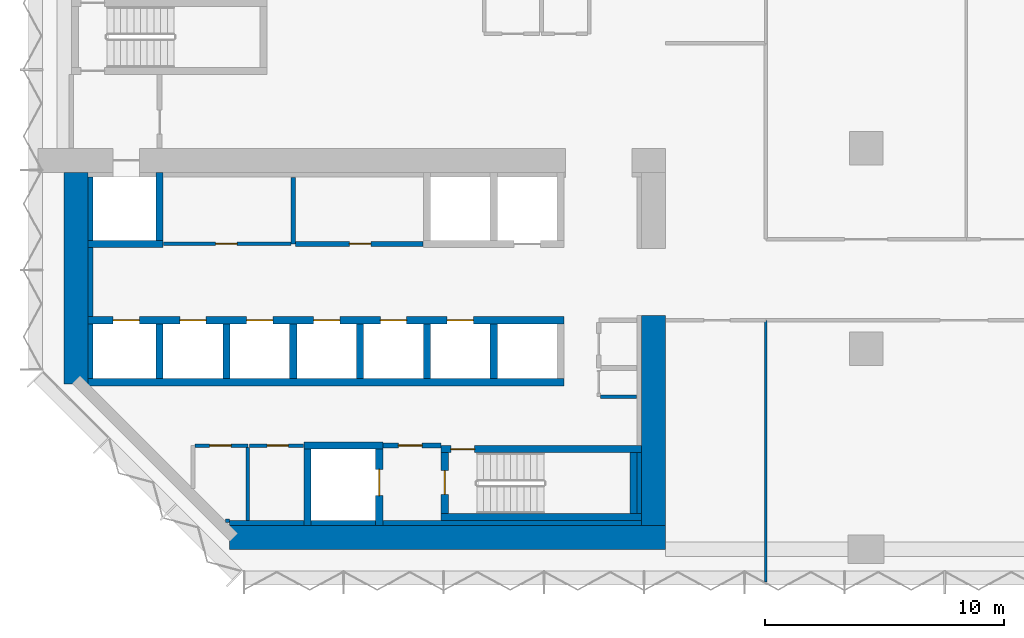
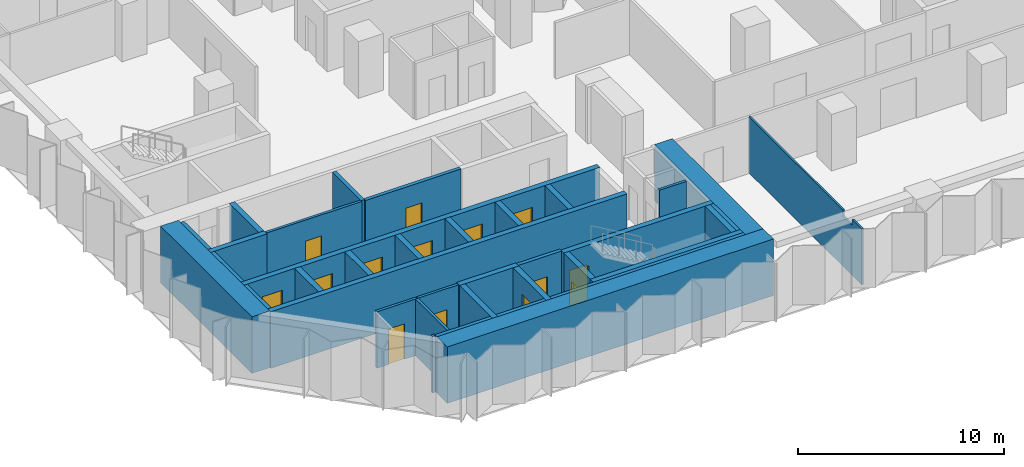
# One storey, part 7 of 15: 37 walls, 14 doors, 14 openings.
"""IFC4 building model written with IfcOpenShell, lengths in metres."""

import ifcopenshell
import ifcopenshell.guid

model = None  # the IFC model being written
_history = None  # IfcOwnerHistory: only IFC2X3 demands one
_inside = {}  # id of a spatial element -> (the spatial element, [elements in it])
_under = {}  # id of a project, library or spatial element -> (it, [spatial elements below it])
_declared = {}  # id of a project -> (the project, [libraries it declares])
_typed = {}  # id of a type object -> (the type object, [elements of that type])
_made_of = {}  # id of a material, layer set ... -> (it, [elements and type objects made of it])


def new_model(schema):
    """Start an empty IFC model of exactly this schema.

    Asked for "IFC4X3", IfcOpenShell would pick the latest addendum, in which some entities
    have other attributes; the version numbers below select the first issue.
    IFC2X3 requires an IfcOwnerHistory on every rooted entity: one is made here for all.
    """
    global model, _history
    if schema == "IFC4X3":
        model = ifcopenshell.file(schema_version=(4, 3, 0, 0))
    else:
        model = ifcopenshell.file(schema=schema)
    _inside.clear()
    _under.clear()
    _declared.clear()
    _typed.clear()
    _made_of.clear()
    _history = None
    if model.schema == "IFC2X3":
        org = make("IfcOrganization", Name="unknown")
        user = make(
            "IfcPersonAndOrganization",
            ThePerson=make("IfcPerson", FamilyName="unknown"),
            TheOrganization=org,
        )
        app = make(
            "IfcApplication",
            ApplicationDeveloper=org,
            Version="unknown",
            ApplicationFullName="unknown",
            ApplicationIdentifier="unknown",
        )
        _history = make(
            "IfcOwnerHistory",
            OwningUser=user,
            OwningApplication=app,
            ChangeAction="ADDED",
            CreationDate=0,
        )
    return model


def make(cls, **values):
    """One entity of the class cls with the attributes given. An attribute that is None is left unset."""
    return model.create_entity(
        cls, **{name: value for name, value in values.items() if value is not None}
    )


def rooted(cls, **values):
    """An entity with a GlobalId (a new one), such as an element, a storey or a relation."""
    return make(cls, GlobalId=ifcopenshell.guid.new(), OwnerHistory=_history, **values)


def si_unit(unit_type, name, prefix=None):
    """IfcSIUnit, for example si_unit("LENGTHUNIT", "METRE", prefix="MILLI")."""
    return make("IfcSIUnit", UnitType=unit_type, Prefix=prefix, Name=name)


def assignment(units):
    """IfcUnitAssignment: the units of a project."""
    return None if units is None else make("IfcUnitAssignment", Units=units)


def point(xyz):
    """IfcCartesianPoint."""
    return None if xyz is None else make("IfcCartesianPoint", Coordinates=xyz)


def direction(xyz):
    """IfcDirection."""
    return None if xyz is None else make("IfcDirection", DirectionRatios=xyz)


def frame(location, z_axis=None, x_axis=None):
    """IfcAxis2Placement3D, a coordinate frame: its origin and axes. An axis left out is left unset."""
    return make(
        "IfcAxis2Placement3D",
        Location=point(location),
        Axis=direction(z_axis),
        RefDirection=direction(x_axis),
    )


def frame_2d(location, x_axis=None):
    """IfcAxis2Placement2D, a coordinate frame in the plane: its origin and x axis."""
    return make(
        "IfcAxis2Placement2D", Location=point(location), RefDirection=direction(x_axis)
    )


def origin():
    """The frame at (0, 0, 0) with its axes left unset."""
    return frame((0.0, 0.0, 0.0))


def place(relative_to, where):
    """IfcLocalPlacement: puts the frame where relative to a parent placement (None: the world)."""
    return make(
        "IfcLocalPlacement", PlacementRelTo=relative_to, RelativePlacement=where
    )


def context(
    kind, dimensions, precision=None, world=None, true_north=None, identifier=None
):
    """IfcGeometricRepresentationContext, for example the 3D "Model" context."""
    return make(
        "IfcGeometricRepresentationContext",
        ContextIdentifier=identifier,
        ContextType=kind,
        CoordinateSpaceDimension=dimensions,
        Precision=precision,
        WorldCoordinateSystem=world,
        TrueNorth=true_north,
    )


def subcontext(parent, identifier, kind, view, scale=None):
    """IfcGeometricRepresentationSubContext, for example "Body" below "Model"."""
    return make(
        "IfcGeometricRepresentationSubContext",
        ContextIdentifier=identifier,
        ContextType=kind,
        ParentContext=parent,
        TargetScale=scale,
        TargetView=view,
    )


def project(units=None, contexts=None):
    """IfcProject with its units and contexts."""
    return rooted(
        "IfcProject",
        Name="project",
        RepresentationContexts=contexts,
        UnitsInContext=assignment(units),
    )


def spatial(cls, under=None, at=None, **own):
    """A site, building, storey or space (cls), placed at a placement, below another one or the project."""
    s = rooted(cls, ObjectPlacement=at, **own)
    if under is not None:
        _under.setdefault(under.id(), (under, []))[1].append(s)
    return s


def polyline(points):
    """IfcPolyline through the points."""
    return make("IfcPolyline", Points=[point(p) for p in points])


def profile(cls, at=None, kind="AREA", **sizes):
    """A parametric profile (cls). Its sizes go by their IFC names, for example OverallWidth=200.0."""
    return make(cls, ProfileType=kind, Position=at, **sizes)


def rectangle(**sizes):
    """IfcRectangleProfileDef."""
    return profile("IfcRectangleProfileDef", **sizes)


def outline(outer, holes=None, kind="AREA"):
    """IfcArbitraryClosedProfileDef: a profile drawn as a closed curve; with holes, ...WithVoids."""
    if holes is None:
        return make("IfcArbitraryClosedProfileDef", ProfileType=kind, OuterCurve=outer)
    return make(
        "IfcArbitraryProfileDefWithVoids",
        ProfileType=kind,
        OuterCurve=outer,
        InnerCurves=holes,
    )


def extrude(swept, where, along, depth):
    """IfcExtrudedAreaSolid: the profile swept, set in the frame where, extruded along a direction by depth."""
    return make(
        "IfcExtrudedAreaSolid",
        SweptArea=swept,
        Position=where,
        ExtrudedDirection=direction(along),
        Depth=depth,
    )


def shape(context_of_items, identifier, shape_type, items):
    """IfcShapeRepresentation: the items that make up one representation, for example the "Body"."""
    return make(
        "IfcShapeRepresentation",
        ContextOfItems=context_of_items,
        RepresentationIdentifier=identifier,
        RepresentationType=shape_type,
        Items=items,
    )


def material(Name=None, Category=None):
    """IfcMaterial."""
    return make("IfcMaterial", Name=Name, Category=Category)


def layer(
    of_material, thickness, ventilated=None, Name=None, Category=None, Priority=None
):
    """IfcMaterialLayer: one layer of a wall or slab, of a material (None: an air gap)."""
    return make(
        "IfcMaterialLayer",
        Material=of_material,
        LayerThickness=thickness,
        IsVentilated=ventilated,
        Name=Name,
        Category=Category,
        Priority=Priority,
    )


def layer_set(layers, Name=None):
    """IfcMaterialLayerSet."""
    return make("IfcMaterialLayerSet", MaterialLayers=layers, LayerSetName=Name)


def made_of(thing, what):
    """Note that an element or type object is made of a material, layer set ...; save() writes the relation."""
    if what is not None:
        _made_of.setdefault(what.id(), (what, []))[1].append(thing)
    return thing


def type_object(cls, material=None, **own):
    """A type object (cls), such as IfcWallType, which elements share."""
    return made_of(rooted(cls, **own), material)


def element(
    cls,
    number,
    at=None,
    inside=None,
    cuts=None,
    type_object=None,
    material=None,
    context=None,
    identifier="Body",
    shape_type=None,
    held_by="IfcProductDefinitionShape",
    body=None,
    shapes=None,
    **own,
):
    """One element of the class cls, such as IfcWall. Its Tag is "e" and its number.

    at: its placement. inside: the storey or other place that contains it. cuts: it is an
    opening in that element (IfcRelVoidsElement). A single representation is given by context,
    identifier, shape_type and body (its items); several are given by shapes. held_by: the class
    of the entity that holds the representations. save() writes the other relations.
    """
    e = rooted(cls, Tag="e%d" % number, ObjectPlacement=at, **own)
    if body is not None:
        shapes = [shape(context, identifier, shape_type, body)]
    if shapes is not None:
        e.Representation = make(held_by, Representations=shapes)
    if inside is not None:
        _inside.setdefault(inside.id(), (inside, []))[1].append(e)
    if cuts is not None:
        rooted(
            "IfcRelVoidsElement", RelatingBuildingElement=cuts, RelatedOpeningElement=e
        )
    if type_object is not None:
        _typed.setdefault(type_object.id(), (type_object, []))[1].append(e)
    return made_of(e, material)


def fill(opening, filler):
    """IfcRelFillsElement: the door or window that sits in an opening."""
    return rooted(
        "IfcRelFillsElement",
        RelatingOpeningElement=opening,
        RelatedBuildingElement=filler,
    )


def aggregate(whole, parts):
    """IfcRelAggregates: a whole, such as a stair, and the parts it consists of."""
    return rooted("IfcRelAggregates", RelatingObject=whole, RelatedObjects=parts)


def save(model, path):
    """Write the relations noted so far, then the file.

    IfcRelAggregates (storeys below a building ...), IfcRelContainedInSpatialStructure (elements
    in a storey), IfcRelDefinesByType, IfcRelAssociatesMaterial and IfcRelDeclares: one each for
    every whole, place, type object, material and project.
    """
    for whole, parts in _under.values():
        aggregate(whole, parts)
    for where, things in _inside.values():
        rooted(
            "IfcRelContainedInSpatialStructure",
            RelatedElements=things,
            RelatingStructure=where,
        )
    for kind, things in _typed.values():
        rooted("IfcRelDefinesByType", RelatedObjects=things, RelatingType=kind)
    for what, things in _made_of.values():
        rooted("IfcRelAssociatesMaterial", RelatedObjects=things, RelatingMaterial=what)
    for by, libraries in _declared.values():
        rooted("IfcRelDeclares", RelatingContext=by, RelatedDefinitions=libraries)
    model.write(path)


model = new_model("IFC4")

# Units and contexts
model_context = context("Model", 3, precision=1e-05, world=origin(), true_north=direction((0.0, 1.0)))
body_context = subcontext(model_context, "Body", "Model", "MODEL_VIEW")
ifc_project = project(units=[si_unit("LENGTHUNIT", "METRE"), si_unit("AREAUNIT", "SQUARE_METRE"), si_unit("VOLUMEUNIT", "CUBIC_METRE"), si_unit("PLANEANGLEUNIT", "RADIAN"), si_unit("MASSUNIT", "GRAM", prefix="KILO")], contexts=[model_context])

# Site, building, storey
site_placement = place(None, origin())
site = spatial("IfcSite", under=ifc_project, at=site_placement, CompositionType="ELEMENT")
building_placement = place(site_placement, origin())
building = spatial("IfcBuilding", under=site, at=building_placement, Name="Brevane Broadcast Tower", CompositionType="ELEMENT")
storey_placement = place(building_placement, frame((0.0, 0.0, 79.699951171875)))
storey = spatial("IfcBuildingStorey", under=building, at=storey_placement, Name="L18", CompositionType="ELEMENT", Elevation=79.699951171875)

# Walls
ifc_material_1 = material(Name="Concrete C32/40", Category="concrete")
ifc_layer_1 = layer(ifc_material_1, 0.199951171875)
ifc_layer_set_1 = layer_set([ifc_layer_1], Name="Core chase wall 200 mm")
wall_type_1 = type_object("IfcWallType", Name="Core chase wall 200 mm", PredefinedType="PARTITIONING", material=ifc_layer_set_1)
wall_1_placement = place(storey_placement, frame((1.10009765625, 7.14990234375, 0.0), z_axis=(0.0, 0.0, 1.0), x_axis=(0.0, 1.0, 0.0)))
element("IfcWall", 1, at=wall_1_placement, inside=storey, type_object=wall_type_1, Name="L18 chase wall LW-2-1", PredefinedType="PARTITIONING", context=body_context, shape_type="SweptSolid", body=[
    extrude(rectangle(XDim=2.300048828125, YDim=0.199951171875, at=frame_2d((1.14990234375, 0.0))), origin(), (0.0, 0.0, 1.0), 3.35009765625),
])
wall_2_placement = place(storey_placement, frame((1.10009765625, 9.75, 0.0), z_axis=(0.0, 0.0, 1.0), x_axis=(0.0, 1.0, 0.0)))
element("IfcWall", 2, at=wall_2_placement, inside=storey, type_object=wall_type_1, Name="L18 chase wall LW-2-2-1", PredefinedType="PARTITIONING", context=body_context, shape_type="SweptSolid", body=[
    extrude(rectangle(XDim=2.89990234375, YDim=0.199951171875, at=frame_2d((1.449951171875, 0.0))), origin(), (0.0, 0.0, 1.0), 3.35009765625),
])
wall_3_placement = place(storey_placement, frame((1.10009765625, 12.949951171875, 0.0), z_axis=(0.0, 0.0, 1.0), x_axis=(0.0, 1.0, 0.0)))
element("IfcWall", 3, at=wall_3_placement, inside=storey, type_object=wall_type_1, Name="L18 chase wall LW-2-2-2", PredefinedType="PARTITIONING", context=body_context, shape_type="SweptSolid", body=[
    extrude(rectangle(XDim=2.650146484375, YDim=0.199951171875, at=frame_2d((1.3251953125, 0.0))), origin(), (0.0, 0.0, 1.0), 3.35009765625),
])
wall_4_placement = place(storey_placement, frame((6.936279296875, 1.10009765625, 0.0), z_axis=(0.0, 0.0, 1.0), x_axis=(1.0, 0.0, 0.0)))
element("IfcWall", 4, at=wall_4_placement, inside=storey, type_object=wall_type_1, Name="L18 chase wall LS-1", PredefinedType="PARTITIONING", context=body_context, shape_type="SweptSolid", body=[
    extrude(rectangle(XDim=3.11376953125, YDim=0.199951171875, at=frame_2d((1.556884765625, 0.0))), origin(), (0.0, 0.0, 1.0), 3.35009765625),
])
wall_5_placement = place(storey_placement, frame((10.35009765625, 1.10009765625, 0.0), z_axis=(0.0, 0.0, 1.0), x_axis=(1.0, 0.0, 0.0)))
element("IfcWall", 5, at=wall_5_placement, inside=storey, type_object=wall_type_1, Name="L18 chase wall LS-2-1", PredefinedType="PARTITIONING", context=body_context, shape_type="SweptSolid", body=[
    extrude(rectangle(XDim=2.699951171875, YDim=0.199951171875, at=frame_2d((1.35009765625, 0.0))), origin(), (0.0, 0.0, 1.0), 3.35009765625),
])
wall_6_placement = place(storey_placement, frame((13.35009765625, 1.10009765625, 0.0), z_axis=(0.0, 0.0, 1.0), x_axis=(1.0, 0.0, 0.0)))
element("IfcWall", 6, at=wall_6_placement, inside=storey, type_object=wall_type_1, Name="L18 chase wall LS-2-2", PredefinedType="PARTITIONING", context=body_context, shape_type="SweptSolid", body=[
    extrude(rectangle(XDim=10.849853515625, YDim=0.199951171875, at=frame_2d((5.4248046875, 0.0))), origin(), (0.0, 0.0, 1.0), 3.35009765625),
])
wall_7_placement = place(storey_placement, frame((24.10009765625, 1.5, 0.0), z_axis=(0.0, 0.0, 1.0), x_axis=(0.0, 1.0, 0.0)))
element("IfcWall", 7, at=wall_7_placement, inside=storey, type_object=wall_type_1, Name="L18 chase wall LE1-2-1", PredefinedType="PARTITIONING", context=body_context, shape_type="SweptSolid", body=[
    extrude(rectangle(XDim=2.550048828125, YDim=0.199951171875, at=frame_2d((1.27490234375, 0.0))), origin(), (0.0, 0.0, 1.0), 3.35009765625),
])

# Wall, opening, door
ifc_material_2 = material(Name="Gypsum board on steel studs", Category="steel")
ifc_layer_2 = layer(ifc_material_2, 0.14990234375)
ifc_layer_set_2 = layer_set([ifc_layer_2], Name="Core fire partition 150 mm")
wall_type_2 = type_object("IfcWallType", Name="Core fire partition 150 mm", PredefinedType="PARTITIONING", material=ifc_layer_set_2)
wall_8_placement = place(storey_placement, frame((4.162109375, 12.800048828125, 0.0), z_axis=(0.0, 0.0, 1.0), x_axis=(1.0, 0.0, 0.0)))
wall_8 = element("IfcWall", 8, at=wall_8_placement, inside=storey, type_object=wall_type_2, Name="L18 partition wall P09", PredefinedType="PARTITIONING", context=body_context, shape_type="SweptSolid", body=[
    extrude(rectangle(XDim=5.337890625, YDim=0.14990234375, at=frame_2d((2.6689453125, 0.0))), origin(), (0.0, 0.0, 1.0), 3.35009765625),
])
opening_1_placement = place(wall_8_placement, frame((2.18798828125, 0.0, 0.0)))
opening_1 = element("IfcOpeningElement", 9, at=opening_1_placement, cuts=wall_8, Name="Opening L18-K21", PredefinedType="OPENING", context=body_context, shape_type="SweptSolid", body=[
    extrude(rectangle(XDim=0.89990234375, YDim=2.10009765625, at=frame_2d((0.449951171875, 1.050048828125))), frame((0.0, 0.0849609375, 0.0), z_axis=(0.0, -1.0, 0.0), x_axis=(1.0, 0.0, 0.0)), (0.0, 0.0, 1.0), 0.169921875),
])
ifc_material_3 = material(Name="Steel", Category="steel")
door_type_1 = type_object("IfcDoorType", Name="Service room door 900 x 2100", OperationType="SINGLE_SWING_LEFT", PredefinedType="DOOR", material=ifc_material_3)
door_1_placement = place(opening_1_placement, origin())
door_1 = element("IfcDoor", 10, at=door_1_placement, inside=storey, type_object=door_type_1, Name="Door L18-K21", OperationType="SINGLE_SWING_LEFT", OverallHeight=2.10009765625, OverallWidth=0.89990234375, PredefinedType="DOOR", context=body_context, shape_type="SweptSolid", body=[
    extrude(rectangle(XDim=0.89990234375, YDim=2.10009765625, at=frame_2d((0.449951171875, 1.050048828125))), frame((0.0, 0.02490234375, 0.0), z_axis=(0.0, -1.0, 0.0), x_axis=(1.0, 0.0, 0.0)), (0.0, 0.0, 1.0), 0.050048828125),
])
fill(opening_1, door_1)

wall_9_placement = place(storey_placement, frame((5.47509765625, 4.35009765625, 0.0), z_axis=(0.0, 0.0, 1.0), x_axis=(1.0, 0.0, 0.0)))
wall_9 = element("IfcWall", 11, at=wall_9_placement, inside=storey, type_object=wall_type_2, Name="L18 partition wall P11", PredefinedType="PARTITIONING", context=body_context, shape_type="SweptSolid", body=[
    extrude(rectangle(XDim=2.224853515625, YDim=0.14990234375, at=frame_2d((1.1123046875, 0.0))), origin(), (0.0, 0.0, 1.0), 3.35009765625),
])
opening_2_placement = place(wall_9_placement, frame((0.625, 0.0, 0.0)))
opening_2 = element("IfcOpeningElement", 12, at=opening_2_placement, cuts=wall_9, Name="Opening L18-K16", PredefinedType="OPENING", context=body_context, shape_type="SweptSolid", body=[
    extrude(rectangle(XDim=0.89990234375, YDim=2.10009765625, at=frame_2d((0.449951171875, 1.050048828125))), frame((0.0, 0.0849609375, 0.0), z_axis=(0.0, -1.0, 0.0), x_axis=(1.0, 0.0, 0.0)), (0.0, 0.0, 1.0), 0.169921875),
])
ifc_material_4 = material(Name="Timber", Category="wood")
door_type_2 = type_object("IfcDoorType", Name="Toilet door 900 x 2100", OperationType="SINGLE_SWING_LEFT", PredefinedType="DOOR", material=ifc_material_4)
door_2_placement = place(opening_2_placement, origin())
door_2 = element("IfcDoor", 13, at=door_2_placement, inside=storey, type_object=door_type_2, Name="Door L18-K16", OperationType="SINGLE_SWING_RIGHT", OverallHeight=2.10009765625, OverallWidth=0.89990234375, PredefinedType="DOOR", context=body_context, shape_type="SweptSolid", body=[
    extrude(rectangle(XDim=0.89990234375, YDim=2.10009765625, at=frame_2d((0.449951171875, 1.050048828125))), frame((0.0, 0.02490234375, 0.0), z_axis=(0.0, -1.0, 0.0), x_axis=(1.0, 0.0, 0.0)), (0.0, 0.0, 1.0), 0.050048828125),
])
fill(opening_2, door_2)

# Walls
wall_10_placement = place(storey_placement, frame((7.699951171875, 4.27490234375, 0.0), z_axis=(0.0, 0.0, 1.0), x_axis=(0.0, -1.0, 0.0)))
element("IfcWall", 14, at=wall_10_placement, inside=storey, type_object=wall_type_2, Name="L18 partition wall P12", PredefinedType="PARTITIONING", context=body_context, shape_type="SweptSolid", body=[
    extrude(rectangle(XDim=3.06298828125, YDim=0.14990234375, at=frame_2d((1.531494140625, 0.0))), origin(), (0.0, 0.0, 1.0), 3.35009765625),
])
wall_11_placement = place(storey_placement, frame((6.92431640625, 1.199951171875, 0.0), z_axis=(0.0, 0.0, 1.0), x_axis=(-1.0, 0.0, 0.0)))
element("IfcWall", 15, at=wall_11_placement, inside=storey, type_object=wall_type_2, Name="L18 partition wall P13", PredefinedType="PARTITIONING", context=body_context, shape_type="SweptSolid", body=[
    extrude(rectangle(XDim=0.1708984375, YDim=0.14990234375, at=frame_2d((0.08544921875, 0.0))), origin(), (0.0, 0.0, 1.0), 3.35009765625),
])

# Wall, opening, door
wall_12_placement = place(storey_placement, frame((10.0380859375, 4.35009765625, 0.0), z_axis=(0.0, 0.0, 1.0), x_axis=(-1.0, 0.0, 0.0)))
wall_12 = element("IfcWall", 16, at=wall_12_placement, inside=storey, type_object=wall_type_2, Name="L18 partition wall P14", PredefinedType="PARTITIONING", context=body_context, shape_type="SweptSolid", body=[
    extrude(rectangle(XDim=2.26318359375, YDim=0.14990234375, at=frame_2d((1.131591796875, 0.0))), origin(), (0.0, 0.0, 1.0), 3.35009765625),
])
opening_3_placement = place(wall_12_placement, frame((0.637939453125, 0.0, 0.0)))
opening_3 = element("IfcOpeningElement", 17, at=opening_3_placement, cuts=wall_12, Name="Opening L18-K17", PredefinedType="OPENING", context=body_context, shape_type="SweptSolid", body=[
    extrude(rectangle(XDim=0.89990234375, YDim=2.10009765625, at=frame_2d((0.449951171875, 1.050048828125))), frame((0.0, 0.0849609375, 0.0), z_axis=(0.0, -1.0, 0.0), x_axis=(1.0, 0.0, 0.0)), (0.0, 0.0, 1.0), 0.169921875),
])
door_3_placement = place(opening_3_placement, origin())
door_3 = element("IfcDoor", 18, at=door_3_placement, inside=storey, type_object=door_type_2, Name="Door L18-K17", OperationType="SINGLE_SWING_LEFT", OverallHeight=2.10009765625, OverallWidth=0.89990234375, PredefinedType="DOOR", context=body_context, shape_type="SweptSolid", body=[
    extrude(rectangle(XDim=0.89990234375, YDim=2.10009765625, at=frame_2d((0.449951171875, 1.050048828125))), frame((0.0, 0.02490234375, 0.0), z_axis=(0.0, -1.0, 0.0), x_axis=(1.0, 0.0, 0.0)), (0.0, 0.0, 1.0), 0.050048828125),
])
fill(opening_3, door_3)

# Wall
wall_13_placement = place(storey_placement, frame((22.47509765625, 6.39990234375, 0.0), z_axis=(0.0, 0.0, 1.0), x_axis=(1.0, 0.0, 0.0)))
element("IfcWall", 19, at=wall_13_placement, inside=storey, type_object=wall_type_2, Name="L18 partition wall P23", PredefinedType="PARTITIONING", context=body_context, shape_type="SweptSolid", body=[
    extrude(rectangle(XDim=1.512939453125, YDim=0.14990234375, at=frame_2d((0.75634765625, 0.0))), origin(), (0.0, 0.0, 1.0), 3.35009765625),
])

# Wall, opening, door
ifc_layer_3 = layer(ifc_material_2, 0.199951171875)
ifc_layer_set_3 = layer_set([ifc_layer_3], Name="Core fire partition 200 mm")
wall_type_3 = type_object("IfcWallType", Name="Core fire partition 200 mm", PredefinedType="PARTITIONING", material=ifc_layer_set_3)
wall_14_placement = place(storey_placement, frame((13.362060546875, 4.35009765625, 0.0), z_axis=(0.0, 0.0, 1.0), x_axis=(1.0, 0.0, 0.0)))
wall_14 = element("IfcWall", 20, at=wall_14_placement, inside=storey, type_object=wall_type_3, Name="L18 partition wall P03", PredefinedType="PARTITIONING", context=body_context, shape_type="SweptSolid", body=[
    extrude(rectangle(XDim=2.426025390625, YDim=0.199951171875, at=frame_2d((1.212890625, 0.0))), origin(), (0.0, 0.0, 1.0), 3.35009765625),
])
opening_4_placement = place(wall_14_placement, frame((0.637939453125, 0.0, 0.0)))
opening_4 = element("IfcOpeningElement", 21, at=opening_4_placement, cuts=wall_14, Name="Opening L18-K18", PredefinedType="OPENING", context=body_context, shape_type="SweptSolid", body=[
    extrude(rectangle(XDim=1.0, YDim=2.10009765625, at=frame_2d((0.5, 1.050048828125))), frame((0.0, 0.10986328125, 0.0), z_axis=(0.0, -1.0, 0.0), x_axis=(1.0, 0.0, 0.0)), (0.0, 0.0, 1.0), 0.219970703125),
])
door_type_3 = type_object("IfcDoorType", Name="Stair door 1000 x 2100", OperationType="SINGLE_SWING_LEFT", PredefinedType="DOOR", material=ifc_material_3)
door_4_placement = place(opening_4_placement, origin())
door_4 = element("IfcDoor", 22, at=door_4_placement, inside=storey, type_object=door_type_3, Name="Door L18-K18", OperationType="SINGLE_SWING_RIGHT", OverallHeight=2.10009765625, OverallWidth=1.0, PredefinedType="DOOR", context=body_context, shape_type="SweptSolid", body=[
    extrude(rectangle(XDim=1.0, YDim=2.10009765625, at=frame_2d((0.5, 1.050048828125))), frame((0.0, 0.02490234375, 0.0), z_axis=(0.0, -1.0, 0.0), x_axis=(1.0, 0.0, 0.0)), (0.0, 0.0, 1.0), 0.050048828125),
])
fill(opening_4, door_4)

# Wall
wall_15_placement = place(storey_placement, frame((9.60009765625, 15.587890625, 0.0), z_axis=(0.0, 0.0, 1.0), x_axis=(0.0, -1.0, 0.0)))
element("IfcWall", 23, at=wall_15_placement, inside=storey, type_object=wall_type_3, Name="L18 partition wall P04", PredefinedType="PARTITIONING", context=body_context, shape_type="SweptSolid", body=[
    extrude(rectangle(XDim=2.787841796875, YDim=0.199951171875, at=frame_2d((1.39404296875, 0.0))), origin(), (0.0, 0.0, 1.0), 3.35009765625),
])

# Wall, opening, door
wall_16_placement = place(storey_placement, frame((9.699951171875, 12.800048828125, 0.0), z_axis=(0.0, 0.0, 1.0), x_axis=(1.0, 0.0, 0.0)))
wall_16 = element("IfcWall", 24, at=wall_16_placement, inside=storey, type_object=wall_type_3, Name="L18 partition wall P05", PredefinedType="PARTITIONING", context=body_context, shape_type="SweptSolid", body=[
    extrude(rectangle(XDim=5.338134765625, YDim=0.199951171875, at=frame_2d((2.6689453125, 0.0))), origin(), (0.0, 0.0, 1.0), 3.35009765625),
])
opening_5_placement = place(wall_16_placement, frame((2.25, 0.0, 0.0)))
opening_5 = element("IfcOpeningElement", 25, at=opening_5_placement, cuts=wall_16, Name="Opening L18-K22", PredefinedType="OPENING", context=body_context, shape_type="SweptSolid", body=[
    extrude(rectangle(XDim=0.89990234375, YDim=2.10009765625, at=frame_2d((0.449951171875, 1.050048828125))), frame((0.0, 0.10986328125, 0.0), z_axis=(0.0, -1.0, 0.0), x_axis=(1.0, 0.0, 0.0)), (0.0, 0.0, 1.0), 0.219970703125),
])
door_5_placement = place(opening_5_placement, origin())
door_5 = element("IfcDoor", 26, at=door_5_placement, inside=storey, type_object=door_type_1, Name="Door L18-K22", OperationType="SINGLE_SWING_RIGHT", OverallHeight=2.10009765625, OverallWidth=0.89990234375, PredefinedType="DOOR", context=body_context, shape_type="SweptSolid", body=[
    extrude(rectangle(XDim=0.89990234375, YDim=2.10009765625, at=frame_2d((0.449951171875, 1.050048828125))), frame((0.0, 0.02490234375, 0.0), z_axis=(0.0, -1.0, 0.0), x_axis=(1.0, 0.0, 0.0)), (0.0, 0.0, 1.0), 0.050048828125),
])
fill(opening_5, door_5)

# Walls
ifc_material_5 = material(Name="Concrete C80/95", Category="concrete")
ifc_layer_4 = layer(ifc_material_5, 1.0)
ifc_layer_set_4 = layer_set([ifc_layer_4], Name="Core wall 1000 mm C80/95")
wall_type_4 = type_object("IfcWallType", Name="Core wall 1000 mm C80/95", PredefinedType="SHEAR", material=ifc_layer_set_4)
wall_17_placement = place(storey_placement, frame((6.936279296875, 0.5, 0.0), z_axis=(0.0, 0.0, 1.0), x_axis=(1.0, 0.0, 0.0)))
element("IfcWall", 27, at=wall_17_placement, inside=storey, type_object=wall_type_4, Name="L18 outer wall WS", PredefinedType="SHEAR", context=body_context, shape_type="SweptSolid", body=[
    extrude(rectangle(XDim=18.263671875, YDim=1.0, at=frame_2d((9.1318359375, 0.0))), origin(), (0.0, 0.0, 1.0), 3.35009765625),
])
wall_18_placement = place(storey_placement, frame((0.5, 6.936279296875, 0.0), z_axis=(0.0, 0.0, 1.0), x_axis=(0.0, 1.0, 0.0)))
element("IfcWall", 28, at=wall_18_placement, inside=storey, type_object=wall_type_4, Name="L18 outer wall WW", PredefinedType="SHEAR", context=body_context, shape_type="SweptSolid", body=[
    extrude(rectangle(XDim=8.86376953125, YDim=1.0, at=frame_2d((4.431884765625, 0.0))), origin(), (0.0, 0.0, 1.0), 3.35009765625),
])
wall_19_placement = place(storey_placement, frame((24.699951171875, 1.0, 0.0), z_axis=(0.0, 0.0, 1.0), x_axis=(0.0, 1.0, 0.0)))
element("IfcWall", 29, at=wall_19_placement, inside=storey, type_object=wall_type_4, Name="L18 outer wall WE1", PredefinedType="SHEAR", context=body_context, shape_type="SweptSolid", body=[
    extrude(rectangle(XDim=8.800048828125, YDim=1.0, at=frame_2d((4.39990234375, 0.0))), origin(), (0.0, 0.0, 1.0), 3.35009765625),
])
ifc_layer_5 = layer(ifc_material_5, 0.300048828125)
ifc_layer_set_5 = layer_set([ifc_layer_5], Name="Core wall 300 mm C80/95")
wall_type_5 = type_object("IfcWallType", Name="Core wall 300 mm C80/95", PredefinedType="SHEAR", material=ifc_layer_set_5)
wall_20_placement = place(storey_placement, frame((1.0, 7.0, 0.0), z_axis=(0.0, 0.0, 1.0), x_axis=(1.0, 0.0, 0.0)))
element("IfcWall", 30, at=wall_20_placement, inside=storey, type_object=wall_type_5, Name="L18 shaft wall SH-S012-back", PredefinedType="SHEAR", context=body_context, shape_type="SweptSolid", body=[
    extrude(rectangle(XDim=19.949951171875, YDim=0.300048828125, at=frame_2d((9.97509765625, 0.0))), origin(), (0.0, 0.0, 1.0), 3.35009765625),
])

# Wall, openings, doors
wall_21_placement = place(storey_placement, frame((1.0, 9.60009765625, 0.0), z_axis=(0.0, 0.0, 1.0), x_axis=(1.0, 0.0, 0.0)))
wall_21 = element("IfcWall", 31, at=wall_21_placement, inside=storey, type_object=wall_type_5, Name="L18 shaft wall SH-S012-front", PredefinedType="SHEAR", context=body_context, shape_type="SweptSolid", body=[
    extrude(rectangle(XDim=19.949951171875, YDim=0.300048828125, at=frame_2d((9.97509765625, 0.0))), origin(), (0.0, 0.0, 1.0), 3.35009765625),
])
opening_6_placement = place(wall_21_placement, frame((1.050048828125, 0.0, 0.0)))
opening_6 = element("IfcOpeningElement", 32, at=opening_6_placement, cuts=wall_21, Name="Opening LD", PredefinedType="OPENING", context=body_context, shape_type="SweptSolid", body=[
    extrude(rectangle(XDim=1.10009765625, YDim=2.300048828125, at=frame_2d((0.550048828125, 1.14990234375))), frame((0.0, 0.159912109375, 0.0), z_axis=(0.0, -1.0, 0.0), x_axis=(1.0, 0.0, 0.0)), (0.0, 0.0, 1.0), 0.320068359375),
])
opening_7_placement = place(wall_21_placement, frame((3.85009765625, 0.0, 0.0)))
opening_7 = element("IfcOpeningElement", 33, at=opening_7_placement, cuts=wall_21, Name="Opening LD", PredefinedType="OPENING", context=body_context, shape_type="SweptSolid", body=[
    extrude(rectangle(XDim=1.10009765625, YDim=2.300048828125, at=frame_2d((0.550048828125, 1.14990234375))), frame((0.0, 0.159912109375, 0.0), z_axis=(0.0, -1.0, 0.0), x_axis=(1.0, 0.0, 0.0)), (0.0, 0.0, 1.0), 0.320068359375),
])
opening_8_placement = place(wall_21_placement, frame((6.64990234375, 0.0, 0.0)))
opening_8 = element("IfcOpeningElement", 34, at=opening_8_placement, cuts=wall_21, Name="Opening LD", PredefinedType="OPENING", context=body_context, shape_type="SweptSolid", body=[
    extrude(rectangle(XDim=1.10009765625, YDim=2.300048828125, at=frame_2d((0.550048828125, 1.14990234375))), frame((0.0, 0.159912109375, 0.0), z_axis=(0.0, -1.0, 0.0), x_axis=(1.0, 0.0, 0.0)), (0.0, 0.0, 1.0), 0.320068359375),
])
opening_9_placement = place(wall_21_placement, frame((9.449951171875, 0.0, 0.0)))
opening_9 = element("IfcOpeningElement", 35, at=opening_9_placement, cuts=wall_21, Name="Opening LD", PredefinedType="OPENING", context=body_context, shape_type="SweptSolid", body=[
    extrude(rectangle(XDim=1.10009765625, YDim=2.300048828125, at=frame_2d((0.550048828125, 1.14990234375))), frame((0.0, 0.159912109375, 0.0), z_axis=(0.0, -1.0, 0.0), x_axis=(1.0, 0.0, 0.0)), (0.0, 0.0, 1.0), 0.320068359375),
])
opening_10_placement = place(wall_21_placement, frame((12.25, 0.0, 0.0)))
opening_10 = element("IfcOpeningElement", 36, at=opening_10_placement, cuts=wall_21, Name="Opening LD", PredefinedType="OPENING", context=body_context, shape_type="SweptSolid", body=[
    extrude(rectangle(XDim=1.10009765625, YDim=2.300048828125, at=frame_2d((0.550048828125, 1.14990234375))), frame((0.0, 0.159912109375, 0.0), z_axis=(0.0, -1.0, 0.0), x_axis=(1.0, 0.0, 0.0)), (0.0, 0.0, 1.0), 0.320068359375),
])
opening_11_placement = place(wall_21_placement, frame((15.050048828125, 0.0, 0.0)))
opening_11 = element("IfcOpeningElement", 37, at=opening_11_placement, cuts=wall_21, Name="Opening LD", PredefinedType="OPENING", context=body_context, shape_type="SweptSolid", body=[
    extrude(rectangle(XDim=1.10009765625, YDim=2.300048828125, at=frame_2d((0.550048828125, 1.14990234375))), frame((0.0, 0.159912109375, 0.0), z_axis=(0.0, -1.0, 0.0), x_axis=(1.0, 0.0, 0.0)), (0.0, 0.0, 1.0), 0.320068359375),
])
ifc_material_6 = material(Name="Stainless steel", Category="steel")
door_type_4 = type_object("IfcDoorType", Name="Lift landing door", OperationType="SLIDING_TO_LEFT", PredefinedType="DOOR", material=ifc_material_6)
door_6_placement = place(opening_6_placement, origin())
door_6 = element("IfcDoor", 38, at=door_6_placement, inside=storey, type_object=door_type_4, Name="Landing door LR1 L18", OperationType="SLIDING_TO_LEFT", OverallHeight=2.300048828125, OverallWidth=1.10009765625, PredefinedType="DOOR", context=body_context, shape_type="SweptSolid", body=[
    extrude(rectangle(XDim=1.10009765625, YDim=2.300048828125, at=frame_2d((0.550048828125, 1.14990234375))), frame((0.0, 0.02490234375, 0.0), z_axis=(0.0, -1.0, 0.0), x_axis=(1.0, 0.0, 0.0)), (0.0, 0.0, 1.0), 0.050048828125),
])
fill(opening_6, door_6)
door_7_placement = place(opening_7_placement, origin())
door_7 = element("IfcDoor", 39, at=door_7_placement, inside=storey, type_object=door_type_4, Name="Landing door LR2 L18", OperationType="SLIDING_TO_LEFT", OverallHeight=2.300048828125, OverallWidth=1.10009765625, PredefinedType="DOOR", context=body_context, shape_type="SweptSolid", body=[
    extrude(rectangle(XDim=1.10009765625, YDim=2.300048828125, at=frame_2d((0.550048828125, 1.14990234375))), frame((0.0, 0.02490234375, 0.0), z_axis=(0.0, -1.0, 0.0), x_axis=(1.0, 0.0, 0.0)), (0.0, 0.0, 1.0), 0.050048828125),
])
fill(opening_7, door_7)
door_8_placement = place(opening_8_placement, origin())
door_8 = element("IfcDoor", 40, at=door_8_placement, inside=storey, type_object=door_type_4, Name="Landing door LR3 L18", OperationType="SLIDING_TO_LEFT", OverallHeight=2.300048828125, OverallWidth=1.10009765625, PredefinedType="DOOR", context=body_context, shape_type="SweptSolid", body=[
    extrude(rectangle(XDim=1.10009765625, YDim=2.300048828125, at=frame_2d((0.550048828125, 1.14990234375))), frame((0.0, 0.02490234375, 0.0), z_axis=(0.0, -1.0, 0.0), x_axis=(1.0, 0.0, 0.0)), (0.0, 0.0, 1.0), 0.050048828125),
])
fill(opening_8, door_8)
door_9_placement = place(opening_9_placement, origin())
door_9 = element("IfcDoor", 41, at=door_9_placement, inside=storey, type_object=door_type_4, Name="Landing door LR4 L18", OperationType="SLIDING_TO_LEFT", OverallHeight=2.300048828125, OverallWidth=1.10009765625, PredefinedType="DOOR", context=body_context, shape_type="SweptSolid", body=[
    extrude(rectangle(XDim=1.10009765625, YDim=2.300048828125, at=frame_2d((0.550048828125, 1.14990234375))), frame((0.0, 0.02490234375, 0.0), z_axis=(0.0, -1.0, 0.0), x_axis=(1.0, 0.0, 0.0)), (0.0, 0.0, 1.0), 0.050048828125),
])
fill(opening_9, door_9)
door_10_placement = place(opening_10_placement, origin())
door_10 = element("IfcDoor", 42, at=door_10_placement, inside=storey, type_object=door_type_4, Name="Landing door LR5 L18", OperationType="SLIDING_TO_LEFT", OverallHeight=2.300048828125, OverallWidth=1.10009765625, PredefinedType="DOOR", context=body_context, shape_type="SweptSolid", body=[
    extrude(rectangle(XDim=1.10009765625, YDim=2.300048828125, at=frame_2d((0.550048828125, 1.14990234375))), frame((0.0, 0.02490234375, 0.0), z_axis=(0.0, -1.0, 0.0), x_axis=(1.0, 0.0, 0.0)), (0.0, 0.0, 1.0), 0.050048828125),
])
fill(opening_10, door_10)
door_11_placement = place(opening_11_placement, origin())
door_11 = element("IfcDoor", 43, at=door_11_placement, inside=storey, type_object=door_type_4, Name="Landing door LR6 L18", OperationType="SLIDING_TO_LEFT", OverallHeight=2.300048828125, OverallWidth=1.10009765625, PredefinedType="DOOR", context=body_context, shape_type="SweptSolid", body=[
    extrude(rectangle(XDim=1.10009765625, YDim=2.300048828125, at=frame_2d((0.550048828125, 1.14990234375))), frame((0.0, 0.02490234375, 0.0), z_axis=(0.0, -1.0, 0.0), x_axis=(1.0, 0.0, 0.0)), (0.0, 0.0, 1.0), 0.050048828125),
])
fill(opening_11, door_11)

# Walls
for number, where, z_axis, x_axis, name in (
    (44, (4.0, 7.14990234375, 0.0), (0.0, 0.0, 1.0), (0.0, 1.0, 0.0), "L18 shaft wall SH-S-P040"),
    (45, (6.800048828125, 7.14990234375, 0.0), (0.0, 0.0, 1.0), (0.0, 1.0, 0.0), "L18 shaft wall SH-S-P068"),
    (46, (9.60009765625, 7.14990234375, 0.0), (0.0, 0.0, 1.0), (0.0, 1.0, 0.0), "L18 shaft wall SH-S-P096"),
    (47, (12.39990234375, 7.14990234375, 0.0), (0.0, 0.0, 1.0), (0.0, 1.0, 0.0), "L18 shaft wall SH-S-P124"),
    (48, (15.199951171875, 7.14990234375, 0.0), (0.0, 0.0, 1.0), (0.0, 1.0, 0.0), "L18 shaft wall SH-S-P152"),
    (49, (18.0, 7.14990234375, 0.0), (0.0, 0.0, 1.0), (0.0, 1.0, 0.0), "L18 shaft wall SH-S-P180"),
):
    element("IfcWall", number, at=place(storey_placement, frame(where, z_axis=z_axis, x_axis=x_axis)), inside=storey, type_object=wall_type_5, Name=name, PredefinedType="SHEAR", context=body_context, shape_type="SweptSolid", body=[
        extrude(rectangle(XDim=2.300048828125, YDim=0.300048828125, at=frame_2d((1.14990234375, 0.0))), origin(), (0.0, 0.0, 1.0), 3.35009765625),
    ])
wall_22_placement = place(storey_placement, frame((1.0, 12.800048828125, 0.0), z_axis=(0.0, 0.0, 1.0), x_axis=(1.0, 0.0, 0.0)))
element("IfcWall", 50, at=wall_22_placement, inside=storey, type_object=wall_type_5, Name="L18 shaft wall SH-N012-front", PredefinedType="SHEAR", context=body_context, shape_type="SweptSolid", body=[
    extrude(rectangle(XDim=3.14990234375, YDim=0.300048828125, at=frame_2d((1.574951171875, 0.0))), origin(), (0.0, 0.0, 1.0), 3.35009765625),
])
wall_23_placement = place(storey_placement, frame((4.0, 12.949951171875, 0.0), z_axis=(0.0, 0.0, 1.0), x_axis=(0.0, 1.0, 0.0)))
element("IfcWall", 51, at=wall_23_placement, inside=storey, type_object=wall_type_5, Name="L18 shaft wall SH-N-P040", PredefinedType="SHEAR", context=body_context, shape_type="SweptSolid", body=[
    extrude(rectangle(XDim=2.85009765625, YDim=0.300048828125, at=frame_2d((1.425048828125, 0.0))), origin(), (0.0, 0.0, 1.0), 3.35009765625),
])
wall_24_placement = place(storey_placement, frame((10.199951171875, 1.0, 0.0), z_axis=(0.0, 0.0, 1.0), x_axis=(0.0, 1.0, 0.0)))
element("IfcWall", 52, at=wall_24_placement, inside=storey, type_object=wall_type_5, Name="L18 shaft wall FF2-W", PredefinedType="SHEAR", context=body_context, shape_type="SweptSolid", body=[
    extrude(rectangle(XDim=3.199951171875, YDim=0.300048828125, at=frame_2d((1.60009765625, 0.0))), origin(), (0.0, 0.0, 1.0), 3.35009765625),
])

# Wall, opening, door
wall_25_placement = place(storey_placement, frame((13.199951171875, 1.0, 0.0), z_axis=(0.0, 0.0, 1.0), x_axis=(0.0, 1.0, 0.0)))
wall_25 = element("IfcWall", 53, at=wall_25_placement, inside=storey, type_object=wall_type_5, Name="L18 shaft wall FF2-E", PredefinedType="SHEAR", context=body_context, shape_type="SweptSolid", body=[
    extrude(rectangle(XDim=3.199951171875, YDim=0.300048828125, at=frame_2d((1.60009765625, 0.0))), origin(), (0.0, 0.0, 1.0), 3.35009765625),
])
opening_12_placement = place(wall_25_placement, frame((1.25, 0.0, 0.0)))
opening_12 = element("IfcOpeningElement", 54, at=opening_12_placement, cuts=wall_25, Name="Opening LD", PredefinedType="OPENING", context=body_context, shape_type="SweptSolid", body=[
    extrude(rectangle(XDim=1.10009765625, YDim=2.300048828125, at=frame_2d((0.550048828125, 1.14990234375))), frame((0.0, 0.159912109375, 0.0), z_axis=(0.0, -1.0, 0.0), x_axis=(1.0, 0.0, 0.0)), (0.0, 0.0, 1.0), 0.320068359375),
])
door_12_placement = place(opening_12_placement, origin())
door_12 = element("IfcDoor", 55, at=door_12_placement, inside=storey, type_object=door_type_4, Name="Landing door FF2 L18", OperationType="SLIDING_TO_LEFT", OverallHeight=2.300048828125, OverallWidth=1.10009765625, PredefinedType="DOOR", context=body_context, shape_type="SweptSolid", body=[
    extrude(rectangle(XDim=1.10009765625, YDim=2.300048828125, at=frame_2d((0.550048828125, 1.14990234375))), frame((0.0, 0.02490234375, 0.0), z_axis=(0.0, -1.0, 0.0), x_axis=(1.0, 0.0, 0.0)), (0.0, 0.0, 1.0), 0.050048828125),
])
fill(opening_12, door_12)

# Walls
wall_26_placement = place(storey_placement, frame((10.050048828125, 4.35009765625, 0.0), z_axis=(0.0, 0.0, 1.0), x_axis=(1.0, 0.0, 0.0)))
element("IfcWall", 56, at=wall_26_placement, inside=storey, type_object=wall_type_5, Name="L18 shaft wall FF2-N", PredefinedType="SHEAR", context=body_context, shape_type="SweptSolid", body=[
    extrude(rectangle(XDim=3.300048828125, YDim=0.300048828125, at=frame_2d((1.64990234375, 0.0))), origin(), (0.0, 0.0, 1.0), 3.35009765625),
])
wall_27_placement = place(storey_placement, frame((15.800048828125, 1.35009765625, 0.0), z_axis=(0.0, 0.0, 1.0), x_axis=(1.0, 0.0, 0.0)))
element("IfcWall", 57, at=wall_27_placement, inside=storey, type_object=wall_type_5, Name="L18 stair wall ST-2-S", PredefinedType="SHEAR", context=body_context, shape_type="SweptSolid", body=[
    extrude(rectangle(XDim=8.39990234375, YDim=0.300048828125, at=frame_2d((4.199951171875, 0.0))), origin(), (0.0, 0.0, 1.0), 3.35009765625),
])

# Wall, opening, door
wall_28_placement = place(storey_placement, frame((15.800048828125, 4.199951171875, 0.0), z_axis=(0.0, 0.0, 1.0), x_axis=(1.0, 0.0, 0.0)))
wall_28 = element("IfcWall", 58, at=wall_28_placement, inside=storey, type_object=wall_type_5, Name="L18 stair wall ST-2-N", PredefinedType="SHEAR", context=body_context, shape_type="SweptSolid", body=[
    extrude(rectangle(XDim=8.39990234375, YDim=0.300048828125, at=frame_2d((4.199951171875, 0.0))), origin(), (0.0, 0.0, 1.0), 3.35009765625),
])
opening_13_placement = place(wall_28_placement, frame((0.39990234375, 0.0, 0.0)))
opening_13 = element("IfcOpeningElement", 59, at=opening_13_placement, cuts=wall_28, Name="Opening L18-K13", PredefinedType="OPENING", context=body_context, shape_type="SweptSolid", body=[
    extrude(rectangle(XDim=1.0, YDim=2.10009765625, at=frame_2d((0.5, 1.050048828125))), frame((0.0, 0.159912109375, 0.0), z_axis=(0.0, -1.0, 0.0), x_axis=(1.0, 0.0, 0.0)), (0.0, 0.0, 1.0), 0.320068359375),
])
door_13_placement = place(opening_13_placement, origin())
door_13 = element("IfcDoor", 60, at=door_13_placement, inside=storey, type_object=door_type_3, Name="Door L18-K13", OperationType="SINGLE_SWING_LEFT", OverallHeight=2.10009765625, OverallWidth=1.0, PredefinedType="DOOR", context=body_context, shape_type="SweptSolid", body=[
    extrude(rectangle(XDim=1.0, YDim=2.10009765625, at=frame_2d((0.5, 1.050048828125))), frame((0.0, 0.02490234375, 0.0), z_axis=(0.0, -1.0, 0.0), x_axis=(1.0, 0.0, 0.0)), (0.0, 0.0, 1.0), 0.050048828125),
])
fill(opening_13, door_13)

wall_29_placement = place(storey_placement, frame((15.949951171875, 1.5, 0.0), z_axis=(0.0, 0.0, 1.0), x_axis=(0.0, 1.0, 0.0)))
wall_29 = element("IfcWall", 61, at=wall_29_placement, inside=storey, type_object=wall_type_5, Name="L18 stair wall ST-2-W", PredefinedType="SHEAR", context=body_context, shape_type="SweptSolid", body=[
    extrude(rectangle(XDim=2.550048828125, YDim=0.300048828125, at=frame_2d((1.27490234375, 0.0))), origin(), (0.0, 0.0, 1.0), 3.35009765625),
])
opening_14_placement = place(wall_29_placement, frame((0.800048828125, 0.0, 0.0)))
opening_14 = element("IfcOpeningElement", 62, at=opening_14_placement, cuts=wall_29, Name="Opening L18-K12", PredefinedType="OPENING", context=body_context, shape_type="SweptSolid", body=[
    extrude(rectangle(XDim=1.0, YDim=2.10009765625, at=frame_2d((0.5, 1.050048828125))), frame((0.0, 0.159912109375, 0.0), z_axis=(0.0, -1.0, 0.0), x_axis=(1.0, 0.0, 0.0)), (0.0, 0.0, 1.0), 0.320068359375),
])
door_14_placement = place(opening_14_placement, origin())
door_14 = element("IfcDoor", 63, at=door_14_placement, inside=storey, type_object=door_type_3, Name="Door L18-K12", OperationType="SINGLE_SWING_RIGHT", OverallHeight=2.10009765625, OverallWidth=1.0, PredefinedType="DOOR", context=body_context, shape_type="SweptSolid", body=[
    extrude(rectangle(XDim=1.0, YDim=2.10009765625, at=frame_2d((0.5, 1.050048828125))), frame((0.0, 0.02490234375, 0.0), z_axis=(0.0, -1.0, 0.0), x_axis=(1.0, 0.0, 0.0)), (0.0, 0.0, 1.0), 0.050048828125),
])
fill(opening_14, door_14)

# Walls
wall_30_placement = place(storey_placement, frame((23.85009765625, 1.5, 0.0), z_axis=(0.0, 0.0, 1.0), x_axis=(0.0, 1.0, 0.0)))
element("IfcWall", 64, at=wall_30_placement, inside=storey, type_object=wall_type_5, Name="L18 stair wall ST-2-E", PredefinedType="SHEAR", context=body_context, shape_type="SweptSolid", body=[
    extrude(rectangle(XDim=2.550048828125, YDim=0.300048828125, at=frame_2d((1.27490234375, 0.0))), origin(), (0.0, 0.0, 1.0), 3.35009765625),
])
ifc_material_7 = material(Name="Gypsum board partition")
ifc_layer_6 = layer(ifc_material_7, 0.10009765625)
ifc_layer_set_6 = layer_set([ifc_layer_6], Name="PARTITION 100 STUD")
wall_type_6 = type_object("IfcWallType", Name="PARTITION 100 STUD", PredefinedType="PARTITIONING", material=ifc_layer_set_6)
wall_31_placement = place(storey_placement, frame((29.39990234375, 9.60009765625, 0.0), z_axis=(0.0, 0.0, 1.0), x_axis=(0.0, -1.0, 0.0)))
element("IfcWall", 65, at=wall_31_placement, inside=storey, type_object=wall_type_6, Name="Partition G05-018", PredefinedType="PARTITIONING", context=body_context, shape_type="SweptSolid", body=[
    extrude(outline(polyline([(0.0, 0.0), (10.965087890625, 0.0), (10.965087890625, 3.330078125), (10.699951171875, 3.330078125), (10.050048828125, 3.330078125), (10.048095703125, 2.97998046875), (9.152099609375, 2.97998046875), (9.14990234375, 3.330078125), (0.0, 3.330078125), (0.0, 0.0)])), frame((0.0, 0.050048828125, 0.0), z_axis=(0.0, -1.0, 0.0), x_axis=(1.0, 0.0, 0.0)), (0.0, 0.0, 1.0), 0.10009765625),
])

save(model, "model.ifc")
